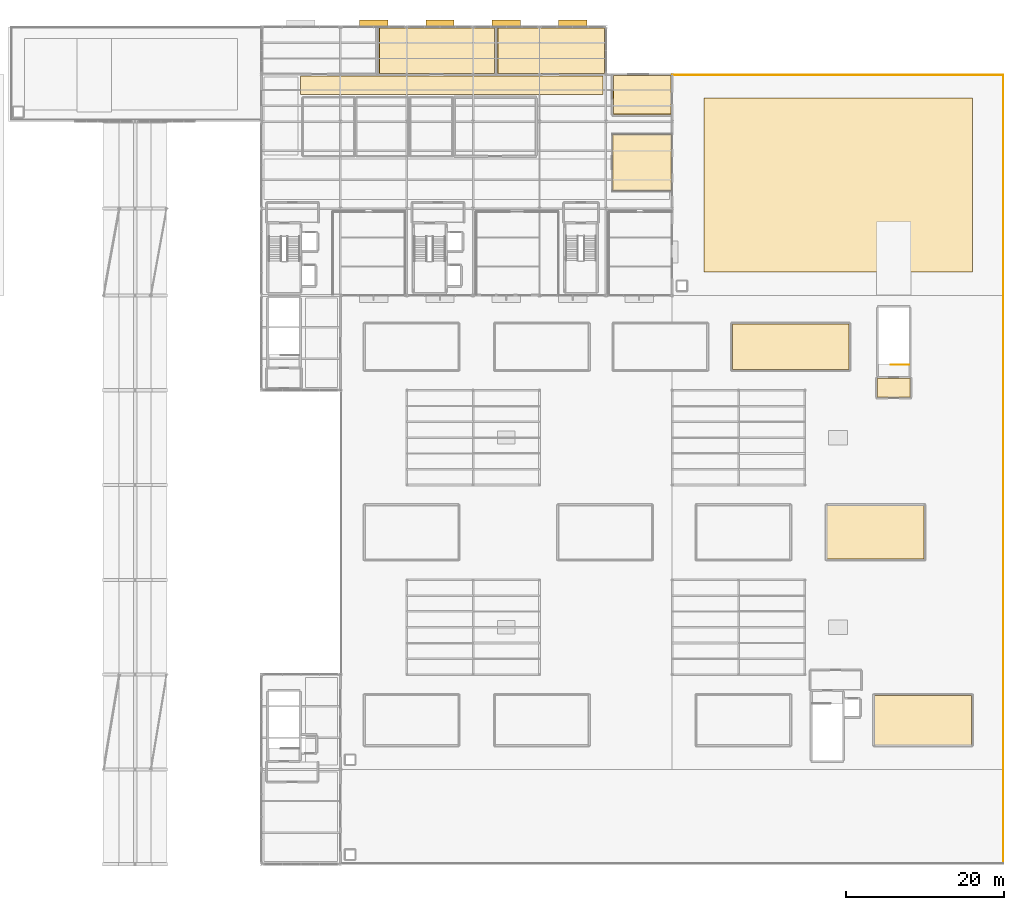
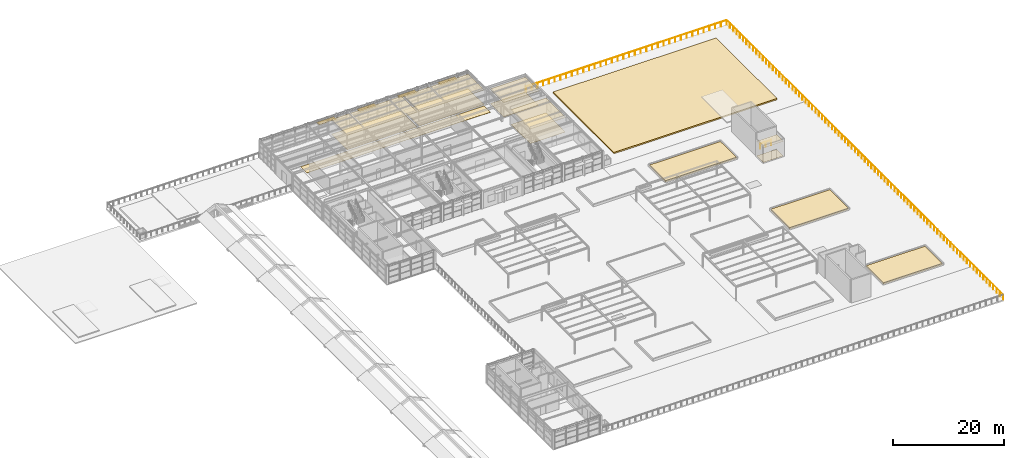
# One storey, part 49 of 49: 15 coverings, 4 shading devices, 3 railings.
"""IFC4 building model written with IfcOpenShell, lengths in metres."""

from ifc_helpers import new_model, si_unit, direction, frame, origin, origin_2d, place, context, subcontext, project, spatial, polyline, rectangle, circle, outline, extrude, material, layer, layer_set, type_object, element, save


model = new_model("IFC4")

# Units and contexts
model_context = context("Model", 3, precision=1e-05, world=origin(), true_north=direction((0.0, 1.0)))
body_context = subcontext(model_context, "Body", "Model", "MODEL_VIEW")
ifc_project = project(units=[si_unit("LENGTHUNIT", "METRE"), si_unit("AREAUNIT", "SQUARE_METRE"), si_unit("VOLUMEUNIT", "CUBIC_METRE"), si_unit("PLANEANGLEUNIT", "RADIAN"), si_unit("MASSUNIT", "GRAM", prefix="KILO")], contexts=[model_context])

# Site, building, storey
site_placement = place(None, origin())
site = spatial("IfcSite", under=ifc_project, at=site_placement, CompositionType="ELEMENT")
building_placement = place(site_placement, origin())
building = spatial("IfcBuilding", under=site, at=building_placement, Name="Sitalva Quay Ferry Terminal", CompositionType="ELEMENT")
storey_placement = place(building_placement, frame((0.0, 0.0, 10.199951171875)))
storey = spatial("IfcBuildingStorey", under=building, at=storey_placement, Name="L03", CompositionType="ELEMENT", Elevation=10.199951171875)

# Coverings
ifc_material_1 = material(Name="Perforated Marine Aluminium Acoustic Ceiling", Category="aluminium")
ifc_layer_1 = layer(ifc_material_1, 0.0400390625)
ifc_layer_set_1 = layer_set([ifc_layer_1], Name="Perforated Marine Aluminium Acoustic Ceiling")
covering_type_1 = type_object("IfcCoveringType", Name="Ceiling_AcousticBaffle_40", PredefinedType="CEILING", material=ifc_layer_set_1)
covering_1_placement = place(storey_placement, frame((0.0, 0.0, 3.2099609375)))
element("IfcCovering", 1, at=covering_1_placement, inside=storey, type_object=covering_type_1, Name="East Terrace Staff Tea Lounge ceiling", PredefinedType="CEILING", context=body_context, shape_type="SweptSolid", body=[
    extrude(outline(polyline([(118.455078125, 91.2548828125), (125.8798828125, 91.2548828125), (125.8798828125, 98.344970703125), (118.455078125, 98.344970703125), (118.455078125, 91.2548828125)])), origin(), (0.0, 0.0, 1.0), 0.0400390625),
])
covering_2_placement = place(storey_placement, frame((0.0, 0.0, 3.2099609375)))
element("IfcCovering", 2, at=covering_2_placement, inside=storey, type_object=covering_type_1, Name="Port Manifest & Maritime Registry Archive ceiling", PredefinedType="CEILING", context=body_context, shape_type="SweptSolid", body=[
    extrude(outline(polyline([(118.5048828125, 100.905029296875), (125.8798828125, 100.905029296875), (125.8798828125, 105.8798828125), (118.5048828125, 105.8798828125), (118.5048828125, 100.905029296875)])), origin(), (0.0, 0.0, 1.0), 0.0400390625),
])
covering_3_placement = place(storey_placement, frame((0.0, 0.0, 3.2099609375)))
element("IfcCovering", 3, at=covering_3_placement, inside=storey, type_object=covering_type_1, Name="River Safety & Crew Training Classroom ceiling", PredefinedType="CEILING", context=body_context, shape_type="SweptSolid", body=[
    extrude(outline(polyline([(88.875, 106.074951171875), (103.52490234375, 106.074951171875), (103.52490234375, 111.8798828125), (88.875, 111.8798828125), (88.875, 106.074951171875)])), origin(), (0.0, 0.0, 1.0), 0.0400390625),
])
covering_4_placement = place(storey_placement, frame((0.0, 0.0, 3.2099609375)))
element("IfcCovering", 4, at=covering_4_placement, inside=storey, type_object=covering_type_1, Name="Maritime Staff Dining Room ceiling", PredefinedType="CEILING", context=body_context, shape_type="SweptSolid", body=[
    extrude(outline(polyline([(103.875, 106.074951171875), (117.47998046875, 106.074951171875), (117.47998046875, 111.8798828125), (103.875, 111.8798828125), (103.875, 106.074951171875)])), origin(), (0.0, 0.0, 1.0), 0.0400390625),
])
ifc_material_2 = material(Name="Moisture-Resistant Acoustic Gypsum Ceiling", Category="gypsum")
ifc_layer_2 = layer(ifc_material_2, 0.02490234375)
ifc_layer_set_2 = layer_set([ifc_layer_2], Name="Moisture-Resistant Acoustic Gypsum Ceiling")
covering_type_2 = type_object("IfcCoveringType", Name="Ceiling_GypsumMoisture_25", PredefinedType="CEILING", material=ifc_layer_set_2)
covering_5_placement = place(storey_placement, frame((0.0, 0.0, 3.22509765625)))
element("IfcCovering", 5, at=covering_5_placement, inside=storey, type_object=covering_type_2, Name="Firefighting & Lift Lobby C9 ceiling", PredefinedType="CEILING", context=body_context, shape_type="SweptSolid", body=[
    extrude(outline(polyline([(151.93994140625, 65.090087890625), (156.159912109375, 65.090087890625), (156.159912109375, 67.56005859375), (151.93994140625, 67.56005859375), (151.93994140625, 65.090087890625)])), origin(), (0.0, 0.0, 1.0), 0.02490234375),
])
ifc_material_3 = material(Name="Planted Roof Garden Soil & Native Monsoon Flora", Category="earth")
ifc_layer_3 = layer(ifc_material_3, 0.300048828125)
ifc_layer_set_3 = layer_set([ifc_layer_3], Name="Planted Roof Garden Soil & Native Monsoon Flora")
covering_type_3 = type_object("IfcCoveringType", Name="Covering_PlantedParterre_300", PredefinedType="FLOORING", material=ifc_layer_set_3)
covering_6_placement = place(storey_placement, origin())
element("IfcCovering", 6, at=covering_6_placement, inside=storey, type_object=covering_type_3, Name="Landscaped roof-park planted parterre bed 04", PredefinedType="FLOORING", context=body_context, shape_type="SweptSolid", body=[
    extrude(outline(polyline([(151.6201171875, 21.1201171875), (163.8798828125, 21.1201171875), (163.8798828125, 27.3798828125), (151.6201171875, 27.3798828125), (151.6201171875, 21.1201171875)])), origin(), (0.0, 0.0, 1.0), 0.300048828125),
])
covering_7_placement = place(storey_placement, origin())
element("IfcCovering", 7, at=covering_7_placement, inside=storey, type_object=covering_type_3, Name="Landscaped roof-park planted parterre bed 08", PredefinedType="FLOORING", context=body_context, shape_type="SweptSolid", body=[
    extrude(outline(polyline([(145.6201171875, 44.6201171875), (157.8798828125, 44.6201171875), (157.8798828125, 51.3798828125), (145.6201171875, 51.3798828125), (145.6201171875, 44.6201171875)])), origin(), (0.0, 0.0, 1.0), 0.300048828125),
])
covering_8_placement = place(storey_placement, origin())
element("IfcCovering", 8, at=covering_8_placement, inside=storey, type_object=covering_type_3, Name="Landscaped roof-park planted parterre bed 12", PredefinedType="FLOORING", context=body_context, shape_type="SweptSolid", body=[
    extrude(outline(polyline([(133.6201171875, 68.6201171875), (148.3798828125, 68.6201171875), (148.3798828125, 74.3798828125), (133.6201171875, 74.3798828125), (133.6201171875, 68.6201171875)])), origin(), (0.0, 0.0, 1.0), 0.300048828125),
])
covering_9_placement = place(storey_placement, origin())
element("IfcCovering", 9, at=covering_9_placement, inside=storey, type_object=covering_type_3, Name="Planted terrace garden bed 15", PredefinedType="FLOORING", context=body_context, shape_type="SweptSolid", body=[
    extrude(outline(polyline([(130.0, 81.0), (164.0, 81.0), (164.0, 103.0), (130.0, 103.0), (130.0, 81.0)])), origin(), (0.0, 0.0, 1.0), 0.300048828125),
])
ifc_material_4 = material(Name="Flamed Non-Slip Granite Paving", Category="masonry")
ifc_layer_4 = layer(ifc_material_4, 0.034912109375)
ifc_layer_set_4 = layer_set([ifc_layer_4], Name="Flamed Non-Slip Granite Paving")
covering_type_4 = type_object("IfcCoveringType", Name="Finish_Granite_35", PredefinedType="FLOORING", material=ifc_layer_set_4)
covering_10_placement = place(storey_placement, origin())
element("IfcCovering", 10, at=covering_10_placement, inside=storey, type_object=covering_type_4, Name="Firefighting & Lift Lobby C9 floor finish", PredefinedType="FLOORING", context=body_context, shape_type="SweptSolid", body=[
    extrude(outline(polyline([(151.989990234375, 65.139892578125), (156.110107421875, 65.139892578125), (156.110107421875, 67.510009765625), (151.989990234375, 67.510009765625), (151.989990234375, 65.139892578125)])), origin(), (0.0, 0.0, 1.0), 0.03515625),
])
covering_11_placement = place(storey_placement, origin())
element("IfcCovering", 11, at=covering_11_placement, inside=storey, type_object=covering_type_4, Name="L03 North Boardroom Gallery Corridor flooring", PredefinedType="FLOORING", context=body_context, shape_type="SweptSolid", body=[
    extrude(outline(polyline([(78.949951171875, 103.449951171875), (117.25, 103.449951171875), (117.25, 105.75), (78.949951171875, 105.75), (78.949951171875, 103.449951171875)])), origin(), (0.0, 0.0, 1.0), 0.03515625),
])
ifc_material_5 = material(Name="Polished River-Stone Terrazzo", Category="masonry")
ifc_layer_5 = layer(ifc_material_5, 0.030029296875)
ifc_layer_set_5 = layer_set([ifc_layer_5], Name="Polished River-Stone Terrazzo")
covering_type_5 = type_object("IfcCoveringType", Name="Finish_Terrazzo_30", PredefinedType="FLOORING", material=ifc_layer_set_5)
covering_12_placement = place(storey_placement, origin())
element("IfcCovering", 12, at=covering_12_placement, inside=storey, type_object=covering_type_5, Name="East Terrace Staff Tea Lounge floor finish", PredefinedType="FLOORING", context=body_context, shape_type="SweptSolid", body=[
    extrude(outline(polyline([(118.5048828125, 91.304931640625), (125.830078125, 91.304931640625), (125.830078125, 98.294921875), (118.5048828125, 98.294921875), (118.5048828125, 91.304931640625)])), origin(), (0.0, 0.0, 1.0), 0.030029296875),
])
covering_13_placement = place(storey_placement, origin())
element("IfcCovering", 13, at=covering_13_placement, inside=storey, type_object=covering_type_5, Name="Port Manifest & Maritime Registry Archive floor finish", PredefinedType="FLOORING", context=body_context, shape_type="SweptSolid", body=[
    extrude(outline(polyline([(118.554931640625, 100.955078125), (125.830078125, 100.955078125), (125.830078125, 105.830078125), (118.554931640625, 105.830078125), (118.554931640625, 100.955078125)])), origin(), (0.0, 0.0, 1.0), 0.030029296875),
])
covering_14_placement = place(storey_placement, origin())
element("IfcCovering", 14, at=covering_14_placement, inside=storey, type_object=covering_type_5, Name="River Safety & Crew Training Classroom floor finish", PredefinedType="FLOORING", context=body_context, shape_type="SweptSolid", body=[
    extrude(outline(polyline([(88.925048828125, 106.125), (103.47509765625, 106.125), (103.47509765625, 111.830078125), (88.925048828125, 111.830078125), (88.925048828125, 106.125)])), origin(), (0.0, 0.0, 1.0), 0.030029296875),
])
covering_15_placement = place(storey_placement, origin())
element("IfcCovering", 15, at=covering_15_placement, inside=storey, type_object=covering_type_5, Name="Maritime Staff Dining Room floor finish", PredefinedType="FLOORING", context=body_context, shape_type="SweptSolid", body=[
    extrude(outline(polyline([(103.925048828125, 106.125), (117.429931640625, 106.125), (117.429931640625, 111.830078125), (103.925048828125, 111.830078125), (103.925048828125, 106.125)])), origin(), (0.0, 0.0, 1.0), 0.030029296875),
])

# Railings
ifc_material_6 = material(Name="Stainless Steel 316L & Laminated Glass", Category="steel")
railing_type_1 = type_object("IfcRailingType", Name="Railing_Balustrade_1120", PredefinedType="BALUSTRADE", material=ifc_material_6)
railing_1_placement = place(storey_placement, frame((167.89990234375, 6.10009765625, 0.0)))
element("IfcRailing", 16, at=railing_1_placement, inside=storey, type_object=railing_type_1, Name="L03 L03 promenade and east roof park balustrade 036", PredefinedType="BALUSTRADE", context=body_context, shape_type="SweptSolid", body=[
    extrude(circle(Radius=0.02392578125, at=origin_2d()), frame((0.0, 0.0, 1.09619140625), z_axis=(0.0, 1.0, 0.0), x_axis=(-1.0, 0.0, 0.0)), (0.0, 0.0, 1.0), 99.7998046875),
    extrude(circle(Radius=0.02099609375, at=origin_2d()), origin(), (0.0, 0.0, 1.0), 1.072021484375),
    extrude(circle(Radius=0.02099609375, at=origin_2d()), frame((0.0, 1.18798828125, 0.0)), (0.0, 0.0, 1.0), 1.072021484375),
    extrude(circle(Radius=0.02099609375, at=origin_2d()), frame((0.0, 2.376220703125, 0.0)), (0.0, 0.0, 1.0), 1.072021484375),
    extrude(circle(Radius=0.02099609375, at=origin_2d()), frame((0.0, 3.564208984375, 0.0)), (0.0, 0.0, 1.0), 1.072021484375),
    extrude(circle(Radius=0.02099609375, at=origin_2d()), frame((0.0, 4.75244140625, 0.0)), (0.0, 0.0, 1.0), 1.072021484375),
    extrude(circle(Radius=0.02099609375, at=origin_2d()), frame((0.0, 5.9404296875, 0.0)), (0.0, 0.0, 1.0), 1.072021484375),
    extrude(circle(Radius=0.02099609375, at=origin_2d()), frame((0.0, 7.128662109375, 0.0)), (0.0, 0.0, 1.0), 1.072021484375),
    extrude(circle(Radius=0.02099609375, at=origin_2d()), frame((0.0, 8.316650390625, 0.0)), (0.0, 0.0, 1.0), 1.072021484375),
    extrude(circle(Radius=0.02099609375, at=origin_2d()), frame((0.0, 9.504638671875, 0.0)), (0.0, 0.0, 1.0), 1.072021484375),
    extrude(circle(Radius=0.02099609375, at=origin_2d()), frame((0.0, 10.69287109375, 0.0)), (0.0, 0.0, 1.0), 1.072021484375),
    extrude(circle(Radius=0.02099609375, at=origin_2d()), frame((0.0, 11.880859375, 0.0)), (0.0, 0.0, 1.0), 1.072021484375),
    extrude(circle(Radius=0.02099609375, at=origin_2d()), frame((0.0, 13.069091796875, 0.0)), (0.0, 0.0, 1.0), 1.072021484375),
    extrude(circle(Radius=0.02099609375, at=origin_2d()), frame((0.0, 14.257080078125, 0.0)), (0.0, 0.0, 1.0), 1.072021484375),
    extrude(circle(Radius=0.02099609375, at=origin_2d()), frame((0.0, 15.4453125, 0.0)), (0.0, 0.0, 1.0), 1.072021484375),
    extrude(circle(Radius=0.02099609375, at=origin_2d()), frame((0.0, 16.63330078125, 0.0)), (0.0, 0.0, 1.0), 1.072021484375),
    extrude(circle(Radius=0.02099609375, at=origin_2d()), frame((0.0, 17.8212890625, 0.0)), (0.0, 0.0, 1.0), 1.072021484375),
    extrude(circle(Radius=0.02099609375, at=origin_2d()), frame((0.0, 19.009521484375, 0.0)), (0.0, 0.0, 1.0), 1.072021484375),
    extrude(circle(Radius=0.02099609375, at=origin_2d()), frame((0.0, 20.197509765625, 0.0)), (0.0, 0.0, 1.0), 1.072021484375),
    extrude(circle(Radius=0.02099609375, at=origin_2d()), frame((0.0, 21.3857421875, 0.0)), (0.0, 0.0, 1.0), 1.072021484375),
    extrude(circle(Radius=0.02099609375, at=origin_2d()), frame((0.0, 22.57373046875, 0.0)), (0.0, 0.0, 1.0), 1.072021484375),
    extrude(circle(Radius=0.02099609375, at=origin_2d()), frame((0.0, 23.761962890625, 0.0)), (0.0, 0.0, 1.0), 1.072021484375),
    extrude(circle(Radius=0.02099609375, at=origin_2d()), frame((0.0, 24.949951171875, 0.0)), (0.0, 0.0, 1.0), 1.072021484375),
    extrude(circle(Radius=0.02099609375, at=origin_2d()), frame((0.0, 26.137939453125, 0.0)), (0.0, 0.0, 1.0), 1.072021484375),
    extrude(circle(Radius=0.02099609375, at=origin_2d()), frame((0.0, 27.326171875, 0.0)), (0.0, 0.0, 1.0), 1.072021484375),
    extrude(circle(Radius=0.02099609375, at=origin_2d()), frame((0.0, 28.51416015625, 0.0)), (0.0, 0.0, 1.0), 1.072021484375),
    extrude(circle(Radius=0.02099609375, at=origin_2d()), frame((0.0, 29.702392578125, 0.0)), (0.0, 0.0, 1.0), 1.072021484375),
    extrude(circle(Radius=0.02099609375, at=origin_2d()), frame((0.0, 30.890380859375, 0.0)), (0.0, 0.0, 1.0), 1.072021484375),
    extrude(circle(Radius=0.02099609375, at=origin_2d()), frame((0.0, 32.07861328125, 0.0)), (0.0, 0.0, 1.0), 1.072021484375),
    extrude(circle(Radius=0.02099609375, at=origin_2d()), frame((0.0, 33.2666015625, 0.0)), (0.0, 0.0, 1.0), 1.072021484375),
    extrude(circle(Radius=0.02099609375, at=origin_2d()), frame((0.0, 34.45458984375, 0.0)), (0.0, 0.0, 1.0), 1.072021484375),
    extrude(circle(Radius=0.02099609375, at=origin_2d()), frame((0.0, 35.642822265625, 0.0)), (0.0, 0.0, 1.0), 1.072021484375),
    extrude(circle(Radius=0.02099609375, at=origin_2d()), frame((0.0, 36.830810546875, 0.0)), (0.0, 0.0, 1.0), 1.072021484375),
    extrude(circle(Radius=0.02099609375, at=origin_2d()), frame((0.0, 38.01904296875, 0.0)), (0.0, 0.0, 1.0), 1.072021484375),
    extrude(circle(Radius=0.02099609375, at=origin_2d()), frame((0.0, 39.20703125, 0.0)), (0.0, 0.0, 1.0), 1.072021484375),
    extrude(circle(Radius=0.02099609375, at=origin_2d()), frame((0.0, 40.395263671875, 0.0)), (0.0, 0.0, 1.0), 1.072021484375),
    extrude(circle(Radius=0.02099609375, at=origin_2d()), frame((0.0, 41.583251953125, 0.0)), (0.0, 0.0, 1.0), 1.072021484375),
    extrude(circle(Radius=0.02099609375, at=origin_2d()), frame((0.0, 42.771240234375, 0.0)), (0.0, 0.0, 1.0), 1.072021484375),
    extrude(circle(Radius=0.02099609375, at=origin_2d()), frame((0.0, 43.95947265625, 0.0)), (0.0, 0.0, 1.0), 1.072021484375),
    extrude(circle(Radius=0.02099609375, at=origin_2d()), frame((0.0, 45.1474609375, 0.0)), (0.0, 0.0, 1.0), 1.072021484375),
    extrude(circle(Radius=0.02099609375, at=origin_2d()), frame((0.0, 46.335693359375, 0.0)), (0.0, 0.0, 1.0), 1.072021484375),
    extrude(circle(Radius=0.02099609375, at=origin_2d()), frame((0.0, 47.523681640625, 0.0)), (0.0, 0.0, 1.0), 1.072021484375),
    extrude(circle(Radius=0.02099609375, at=origin_2d()), frame((0.0, 48.7119140625, 0.0)), (0.0, 0.0, 1.0), 1.072021484375),
    extrude(circle(Radius=0.02099609375, at=origin_2d()), frame((0.0, 49.89990234375, 0.0)), (0.0, 0.0, 1.0), 1.072021484375),
    extrude(circle(Radius=0.02099609375, at=origin_2d()), frame((0.0, 51.087890625, 0.0)), (0.0, 0.0, 1.0), 1.072021484375),
    extrude(circle(Radius=0.02099609375, at=origin_2d()), frame((0.0, 52.276123046875, 0.0)), (0.0, 0.0, 1.0), 1.072021484375),
    extrude(circle(Radius=0.02099609375, at=origin_2d()), frame((0.0, 53.464111328125, 0.0)), (0.0, 0.0, 1.0), 1.072021484375),
    extrude(circle(Radius=0.02099609375, at=origin_2d()), frame((0.0, 54.65234375, 0.0)), (0.0, 0.0, 1.0), 1.072021484375),
    extrude(circle(Radius=0.02099609375, at=origin_2d()), frame((0.0, 55.84033203125, 0.0)), (0.0, 0.0, 1.0), 1.072021484375),
    extrude(circle(Radius=0.02099609375, at=origin_2d()), frame((0.0, 57.028564453125, 0.0)), (0.0, 0.0, 1.0), 1.072021484375),
    extrude(circle(Radius=0.02099609375, at=origin_2d()), frame((0.0, 58.216552734375, 0.0)), (0.0, 0.0, 1.0), 1.072021484375),
    extrude(circle(Radius=0.02099609375, at=origin_2d()), frame((0.0, 59.404541015625, 0.0)), (0.0, 0.0, 1.0), 1.072021484375),
    extrude(circle(Radius=0.02099609375, at=origin_2d()), frame((0.0, 60.5927734375, 0.0)), (0.0, 0.0, 1.0), 1.072021484375),
    extrude(circle(Radius=0.02099609375, at=origin_2d()), frame((0.0, 61.78076171875, 0.0)), (0.0, 0.0, 1.0), 1.072021484375),
    extrude(circle(Radius=0.02099609375, at=origin_2d()), frame((0.0, 62.968994140625, 0.0)), (0.0, 0.0, 1.0), 1.072021484375),
    extrude(circle(Radius=0.02099609375, at=origin_2d()), frame((0.0, 64.156982421875, 0.0)), (0.0, 0.0, 1.0), 1.072021484375),
    extrude(circle(Radius=0.02099609375, at=origin_2d()), frame((0.0, 65.34521484375, 0.0)), (0.0, 0.0, 1.0), 1.072021484375),
    extrude(circle(Radius=0.02099609375, at=origin_2d()), frame((0.0, 66.533203125, 0.0)), (0.0, 0.0, 1.0), 1.072021484375),
    extrude(circle(Radius=0.02099609375, at=origin_2d()), frame((0.0, 67.72119140625, 0.0)), (0.0, 0.0, 1.0), 1.072021484375),
    extrude(circle(Radius=0.02099609375, at=origin_2d()), frame((0.0, 68.909423828125, 0.0)), (0.0, 0.0, 1.0), 1.072021484375),
    extrude(circle(Radius=0.02099609375, at=origin_2d()), frame((0.0, 70.097412109375, 0.0)), (0.0, 0.0, 1.0), 1.072021484375),
    extrude(circle(Radius=0.02099609375, at=origin_2d()), frame((0.0, 71.28564453125, 0.0)), (0.0, 0.0, 1.0), 1.072021484375),
    extrude(circle(Radius=0.02099609375, at=origin_2d()), frame((0.0, 72.4736328125, 0.0)), (0.0, 0.0, 1.0), 1.072021484375),
    extrude(circle(Radius=0.02099609375, at=origin_2d()), frame((0.0, 73.661865234375, 0.0)), (0.0, 0.0, 1.0), 1.072021484375),
    extrude(circle(Radius=0.02099609375, at=origin_2d()), frame((0.0, 74.849853515625, 0.0)), (0.0, 0.0, 1.0), 1.072021484375),
    extrude(circle(Radius=0.02099609375, at=origin_2d()), frame((0.0, 76.037841796875, 0.0)), (0.0, 0.0, 1.0), 1.072021484375),
    extrude(circle(Radius=0.02099609375, at=origin_2d()), frame((0.0, 77.22607421875, 0.0)), (0.0, 0.0, 1.0), 1.072021484375),
    extrude(circle(Radius=0.02099609375, at=origin_2d()), frame((0.0, 78.4140625, 0.0)), (0.0, 0.0, 1.0), 1.072021484375),
    extrude(circle(Radius=0.02099609375, at=origin_2d()), frame((0.0, 79.602294921875, 0.0)), (0.0, 0.0, 1.0), 1.072021484375),
    extrude(circle(Radius=0.02099609375, at=origin_2d()), frame((0.0, 80.790283203125, 0.0)), (0.0, 0.0, 1.0), 1.072021484375),
    extrude(circle(Radius=0.02099609375, at=origin_2d()), frame((0.0, 81.978515625, 0.0)), (0.0, 0.0, 1.0), 1.072021484375),
    extrude(circle(Radius=0.02099609375, at=origin_2d()), frame((0.0, 83.16650390625, 0.0)), (0.0, 0.0, 1.0), 1.072021484375),
    extrude(circle(Radius=0.02099609375, at=origin_2d()), frame((0.0, 84.3544921875, 0.0)), (0.0, 0.0, 1.0), 1.072021484375),
    extrude(circle(Radius=0.02099609375, at=origin_2d()), frame((0.0, 85.542724609375, 0.0)), (0.0, 0.0, 1.0), 1.072021484375),
    extrude(circle(Radius=0.02099609375, at=origin_2d()), frame((0.0, 86.730712890625, 0.0)), (0.0, 0.0, 1.0), 1.072021484375),
    extrude(circle(Radius=0.02099609375, at=origin_2d()), frame((0.0, 87.9189453125, 0.0)), (0.0, 0.0, 1.0), 1.072021484375),
    extrude(circle(Radius=0.02099609375, at=origin_2d()), frame((0.0, 89.10693359375, 0.0)), (0.0, 0.0, 1.0), 1.072021484375),
    extrude(circle(Radius=0.02099609375, at=origin_2d()), frame((0.0, 90.295166015625, 0.0)), (0.0, 0.0, 1.0), 1.072021484375),
    extrude(circle(Radius=0.02099609375, at=origin_2d()), frame((0.0, 91.483154296875, 0.0)), (0.0, 0.0, 1.0), 1.072021484375),
    extrude(circle(Radius=0.02099609375, at=origin_2d()), frame((0.0, 92.671142578125, 0.0)), (0.0, 0.0, 1.0), 1.072021484375),
    extrude(circle(Radius=0.02099609375, at=origin_2d()), frame((0.0, 93.859375, 0.0)), (0.0, 0.0, 1.0), 1.072021484375),
    extrude(circle(Radius=0.02099609375, at=origin_2d()), frame((0.0, 95.04736328125, 0.0)), (0.0, 0.0, 1.0), 1.072021484375),
    extrude(circle(Radius=0.02099609375, at=origin_2d()), frame((0.0, 96.235595703125, 0.0)), (0.0, 0.0, 1.0), 1.072021484375),
    extrude(circle(Radius=0.02099609375, at=origin_2d()), frame((0.0, 97.423583984375, 0.0)), (0.0, 0.0, 1.0), 1.072021484375),
    extrude(circle(Radius=0.02099609375, at=origin_2d()), frame((0.0, 98.61181640625, 0.0)), (0.0, 0.0, 1.0), 1.072021484375),
    extrude(circle(Radius=0.02099609375, at=origin_2d()), frame((0.0, 99.7998046875, 0.0)), (0.0, 0.0, 1.0), 1.072021484375),
])
railing_2_placement = place(storey_placement, frame((167.89990234375, 105.89990234375, 0.0)))
element("IfcRailing", 17, at=railing_2_placement, inside=storey, type_object=railing_type_1, Name="L03 L03 promenade and east roof park balustrade 037", PredefinedType="BALUSTRADE", context=body_context, shape_type="SweptSolid", body=[
    extrude(circle(Radius=0.02392578125, at=origin_2d()), frame((0.0, 0.0, 1.09619140625), z_axis=(-1.0, 0.0, 0.0), x_axis=(0.0, -1.0, 0.0)), (0.0, 0.0, 1.0), 41.849853515625),
    extrude(circle(Radius=0.02099609375, at=origin_2d()), origin(), (0.0, 0.0, 1.0), 1.072021484375),
    extrude(circle(Radius=0.02099609375, at=origin_2d()), frame((-1.19580078125, 0.0, 0.0)), (0.0, 0.0, 1.0), 1.072021484375),
    extrude(circle(Radius=0.02099609375, at=origin_2d()), frame((-2.391357421875, 0.0, 0.0)), (0.0, 0.0, 1.0), 1.072021484375),
    extrude(circle(Radius=0.02099609375, at=origin_2d()), frame((-3.587158203125, 0.0, 0.0)), (0.0, 0.0, 1.0), 1.072021484375),
    extrude(circle(Radius=0.02099609375, at=origin_2d()), frame((-4.782958984375, 0.0, 0.0)), (0.0, 0.0, 1.0), 1.072021484375),
    extrude(circle(Radius=0.02099609375, at=origin_2d()), frame((-5.978515625, 0.0, 0.0)), (0.0, 0.0, 1.0), 1.072021484375),
    extrude(circle(Radius=0.02099609375, at=origin_2d()), frame((-7.17431640625, 0.0, 0.0)), (0.0, 0.0, 1.0), 1.072021484375),
    extrude(circle(Radius=0.02099609375, at=origin_2d()), frame((-8.369873046875, 0.0, 0.0)), (0.0, 0.0, 1.0), 1.072021484375),
    extrude(circle(Radius=0.02099609375, at=origin_2d()), frame((-9.565673828125, 0.0, 0.0)), (0.0, 0.0, 1.0), 1.072021484375),
    extrude(circle(Radius=0.02099609375, at=origin_2d()), frame((-10.761474609375, 0.0, 0.0)), (0.0, 0.0, 1.0), 1.072021484375),
    extrude(circle(Radius=0.02099609375, at=origin_2d()), frame((-11.95703125, 0.0, 0.0)), (0.0, 0.0, 1.0), 1.072021484375),
    extrude(circle(Radius=0.02099609375, at=origin_2d()), frame((-13.15283203125, 0.0, 0.0)), (0.0, 0.0, 1.0), 1.072021484375),
    extrude(circle(Radius=0.02099609375, at=origin_2d()), frame((-14.3486328125, 0.0, 0.0)), (0.0, 0.0, 1.0), 1.072021484375),
    extrude(circle(Radius=0.02099609375, at=origin_2d()), frame((-15.544189453125, 0.0, 0.0)), (0.0, 0.0, 1.0), 1.072021484375),
    extrude(circle(Radius=0.02099609375, at=origin_2d()), frame((-16.739990234375, 0.0, 0.0)), (0.0, 0.0, 1.0), 1.072021484375),
    extrude(circle(Radius=0.02099609375, at=origin_2d()), frame((-17.935546875, 0.0, 0.0)), (0.0, 0.0, 1.0), 1.072021484375),
    extrude(circle(Radius=0.02099609375, at=origin_2d()), frame((-19.13134765625, 0.0, 0.0)), (0.0, 0.0, 1.0), 1.072021484375),
    extrude(circle(Radius=0.02099609375, at=origin_2d()), frame((-20.3271484375, 0.0, 0.0)), (0.0, 0.0, 1.0), 1.072021484375),
    extrude(circle(Radius=0.02099609375, at=origin_2d()), frame((-21.522705078125, 0.0, 0.0)), (0.0, 0.0, 1.0), 1.072021484375),
    extrude(circle(Radius=0.02099609375, at=origin_2d()), frame((-22.718505859375, 0.0, 0.0)), (0.0, 0.0, 1.0), 1.072021484375),
    extrude(circle(Radius=0.02099609375, at=origin_2d()), frame((-23.914306640625, 0.0, 0.0)), (0.0, 0.0, 1.0), 1.072021484375),
    extrude(circle(Radius=0.02099609375, at=origin_2d()), frame((-25.10986328125, 0.0, 0.0)), (0.0, 0.0, 1.0), 1.072021484375),
    extrude(circle(Radius=0.02099609375, at=origin_2d()), frame((-26.3056640625, 0.0, 0.0)), (0.0, 0.0, 1.0), 1.072021484375),
    extrude(circle(Radius=0.02099609375, at=origin_2d()), frame((-27.501220703125, 0.0, 0.0)), (0.0, 0.0, 1.0), 1.072021484375),
    extrude(circle(Radius=0.02099609375, at=origin_2d()), frame((-28.697021484375, 0.0, 0.0)), (0.0, 0.0, 1.0), 1.072021484375),
    extrude(circle(Radius=0.02099609375, at=origin_2d()), frame((-29.892822265625, 0.0, 0.0)), (0.0, 0.0, 1.0), 1.072021484375),
    extrude(circle(Radius=0.02099609375, at=origin_2d()), frame((-31.08837890625, 0.0, 0.0)), (0.0, 0.0, 1.0), 1.072021484375),
    extrude(circle(Radius=0.02099609375, at=origin_2d()), frame((-32.2841796875, 0.0, 0.0)), (0.0, 0.0, 1.0), 1.072021484375),
    extrude(circle(Radius=0.02099609375, at=origin_2d()), frame((-33.47998046875, 0.0, 0.0)), (0.0, 0.0, 1.0), 1.072021484375),
    extrude(circle(Radius=0.02099609375, at=origin_2d()), frame((-34.675537109375, 0.0, 0.0)), (0.0, 0.0, 1.0), 1.072021484375),
    extrude(circle(Radius=0.02099609375, at=origin_2d()), frame((-35.871337890625, 0.0, 0.0)), (0.0, 0.0, 1.0), 1.072021484375),
    extrude(circle(Radius=0.02099609375, at=origin_2d()), frame((-37.06689453125, 0.0, 0.0)), (0.0, 0.0, 1.0), 1.072021484375),
    extrude(circle(Radius=0.02099609375, at=origin_2d()), frame((-38.2626953125, 0.0, 0.0)), (0.0, 0.0, 1.0), 1.072021484375),
    extrude(circle(Radius=0.02099609375, at=origin_2d()), frame((-39.45849609375, 0.0, 0.0)), (0.0, 0.0, 1.0), 1.072021484375),
    extrude(circle(Radius=0.02099609375, at=origin_2d()), frame((-40.654052734375, 0.0, 0.0)), (0.0, 0.0, 1.0), 1.072021484375),
    extrude(circle(Radius=0.02099609375, at=origin_2d()), frame((-41.849853515625, 0.0, 0.0)), (0.0, 0.0, 1.0), 1.072021484375),
])
ifc_material_7 = material(Name="Galvanised Steel S275JR", Category="steel")
railing_type_2 = type_object("IfcRailingType", Name="Railing_Guard_1100", PredefinedType="GUARDRAIL", material=ifc_material_7)
railing_3_placement = place(storey_placement, frame((155.97998046875, 69.22998046875, 0.0)))
element("IfcRailing", 18, at=railing_3_placement, inside=storey, type_object=railing_type_2, Name="L03 ST-09 top well guard 1", PredefinedType="GUARDRAIL", context=body_context, shape_type="SweptSolid", body=[
    extrude(circle(Radius=0.02392578125, at=origin_2d()), frame((0.0, 0.0, 1.076171875), z_axis=(-1.0, 0.0, 0.0), x_axis=(0.0, -1.0, 0.0)), (0.0, 0.0, 1.0), 2.300048828125),
    extrude(circle(Radius=0.02099609375, at=origin_2d()), origin(), (0.0, 0.0, 1.0), 1.052001953125),
    extrude(circle(Radius=0.02099609375, at=origin_2d()), frame((-1.14990234375, 0.0, 0.0)), (0.0, 0.0, 1.0), 1.052001953125),
    extrude(circle(Radius=0.02099609375, at=origin_2d()), frame((-2.300048828125, 0.0, 0.0)), (0.0, 0.0, 1.0), 1.052001953125),
])

# Shading devices
ifc_material_8 = material(Name="Anodised Marine Aluminium 6063-T6", Category="aluminium")
shading_device_type = type_object("IfcShadingDeviceType", Name="Shade_HorizontalLouvre_900", PredefinedType="USERDEFINED", material=ifc_material_8)
for number, where, z_axis, x_axis, name in (
    (19, (88.199951171875, 112.419921875, 2.8076171875), (0.0, 0.0, 1.0), (1.0, 0.0, 0.0), "Monsoon sunshade canopy BS-097"),
    (20, (96.60009765625, 112.419921875, 2.8076171875), (0.0, 0.0, 1.0), (1.0, 0.0, 0.0), "Monsoon sunshade canopy BS-098"),
    (21, (105.0, 112.419921875, 2.8076171875), (0.0, 0.0, 1.0), (1.0, 0.0, 0.0), "Monsoon sunshade canopy BS-099"),
    (22, (113.39990234375, 112.419921875, 2.8076171875), (0.0, 0.0, 1.0), (1.0, 0.0, 0.0), "Monsoon sunshade canopy BS-100"),
):
    element("IfcShadingDevice", number, at=place(storey_placement, frame(where, z_axis=z_axis, x_axis=x_axis)), inside=storey, type_object=shading_device_type, Name=name, ObjectType="SUNSHADE", PredefinedType="USERDEFINED", context=body_context, shape_type="SweptSolid", body=[
        extrude(rectangle(XDim=3.60009765625, YDim=0.89990234375, at=origin_2d()), origin(), (0.0, 0.0, 1.0), 0.0849609375),
    ])

save(model, "model.ifc")
